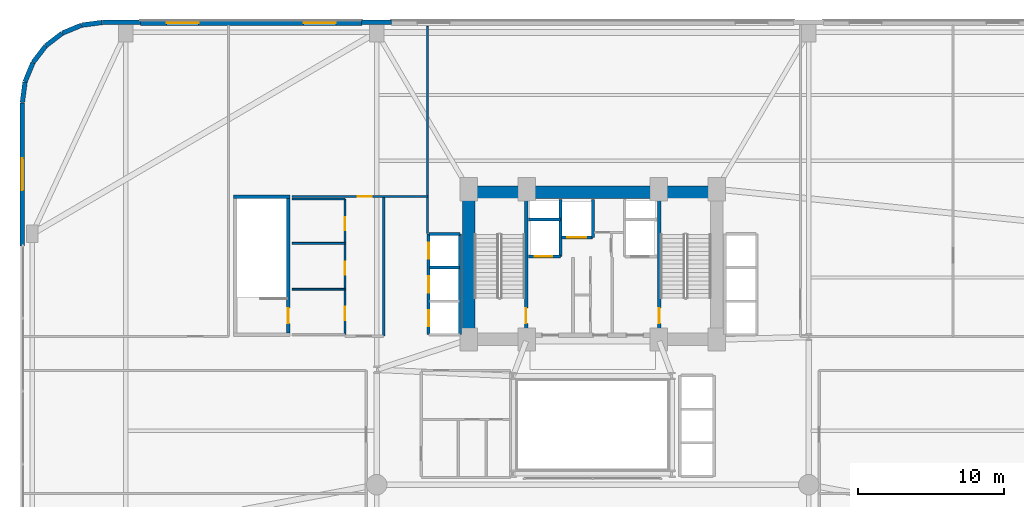
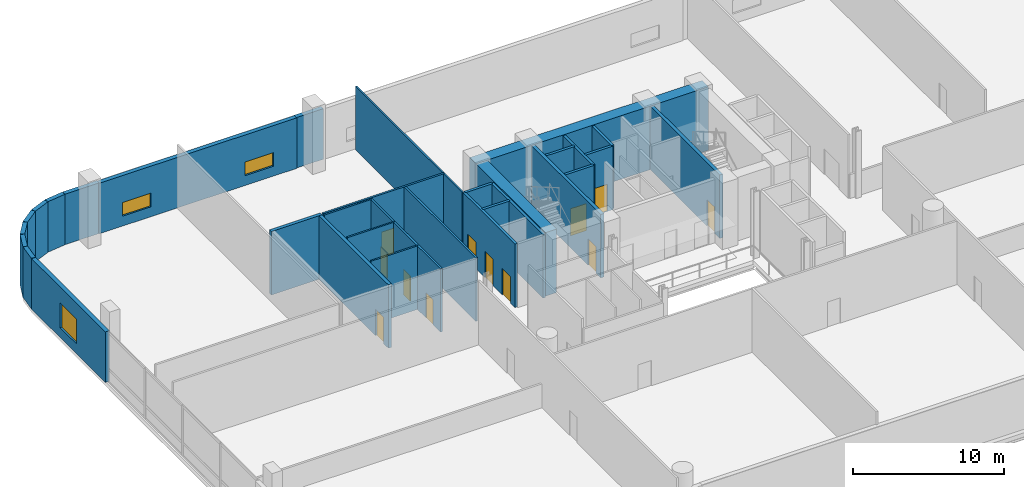
# One storey, part 24 of 31: 32 walls, 12 doors, 3 windows, 15 openings.
"""IFC4 building model written with IfcOpenShell, lengths in metres."""

from ifc_helpers import new_model, si_unit, direction, frame, frame_2d, origin, place, context, subcontext, project, spatial, rectangle, extrude, material, layer, layer_set, type_object, element, fill, save


model = new_model("IFC4")

# Units and contexts
model_context = context("Model", 3, precision=1e-05, world=origin(), true_north=direction((0.0, 1.0)))
body_context = subcontext(model_context, "Body", "Model", "MODEL_VIEW")
ifc_project = project(units=[si_unit("LENGTHUNIT", "METRE"), si_unit("AREAUNIT", "SQUARE_METRE"), si_unit("VOLUMEUNIT", "CUBIC_METRE"), si_unit("PLANEANGLEUNIT", "RADIAN"), si_unit("MASSUNIT", "GRAM", prefix="KILO")], contexts=[model_context])

# Site, building, storey
site_placement = place(None, origin())
site = spatial("IfcSite", under=ifc_project, at=site_placement, CompositionType="ELEMENT")
building_placement = place(site_placement, origin())
building = spatial("IfcBuilding", under=site, at=building_placement, Name="Varnelok Gate Tower", CompositionType="ELEMENT")
storey_placement = place(building_placement, frame((0.0, 0.0, 21.60009765625)))
storey = spatial("IfcBuildingStorey", under=building, at=storey_placement, Name="L04", CompositionType="ELEMENT", Elevation=21.60009765625)

# Wall, openings, windows
ifc_material_1 = material(Name="Concrete C45/55", Category="concrete")
ifc_layer_1 = layer(ifc_material_1, 0.320068359375)
ifc_layer_set_1 = layer_set([ifc_layer_1], Name="Concrete C45/55")
wall_type_1 = type_object("IfcWallType", Name="EW-POD-320", PredefinedType="SOLIDWALL", material=ifc_layer_set_1)
wall_1_placement = place(storey_placement, frame((8.199951171875, 50.43994140625, 0.0), z_axis=(0.0, 0.0, 1.0), x_axis=(1.0, 0.0, 0.0)))
wall_1 = element("IfcWall", 1, at=wall_1_placement, inside=storey, type_object=wall_type_1, Name="L04 North Podium Wall 1", PredefinedType="SOLIDWALL", context=body_context, shape_type="SweptSolid", body=[
    extrude(rectangle(XDim=15.199951171875, YDim=0.320068359375, at=frame_2d((7.60009765625, 0.0))), origin(), (0.0, 0.0, 1.0), 4.099853515625),
])
opening_1_placement = place(wall_1_placement, frame((1.800048828125, 0.0, 0.800048828125)))
opening_1 = element("IfcOpeningElement", 2, at=opening_1_placement, cuts=wall_1, Name="Opening WN2B", PredefinedType="OPENING", context=body_context, shape_type="SweptSolid", body=[
    extrude(rectangle(XDim=2.199951171875, YDim=1.110107421875, at=frame_2d((1.10009765625, 0.55517578125))), frame((0.0, 0.169921875, 0.0), z_axis=(0.0, -1.0, 0.0), x_axis=(1.0, 0.0, 0.0)), (0.0, 0.0, 1.0), 0.340087890625),
])
opening_2_placement = place(wall_1_placement, frame((11.199951171875, 0.0, 0.800048828125)))
opening_2 = element("IfcOpeningElement", 3, at=opening_2_placement, cuts=wall_1, Name="Opening WN2B", PredefinedType="OPENING", context=body_context, shape_type="SweptSolid", body=[
    extrude(rectangle(XDim=2.199951171875, YDim=1.110107421875, at=frame_2d((1.10009765625, 0.55517578125))), frame((0.0, 0.169921875, 0.0), z_axis=(0.0, -1.0, 0.0), x_axis=(1.0, 0.0, 0.0)), (0.0, 0.0, 1.0), 0.340087890625),
])
ifc_material_2 = material(Name="Low-E Laminated Double Glazing IGU", Category="glass")
window_type_1 = type_object("IfcWindowType", Name="WN-POD-2200X1110", PartitioningType="SINGLE_PANEL", PredefinedType="WINDOW", material=ifc_material_2)
window_1_placement = place(opening_1_placement, origin())
window_1 = element("IfcWindow", 4, at=window_1_placement, inside=storey, type_object=window_type_1, Name="L04 Podium Window N1.1", OverallHeight=1.110107421875, OverallWidth=2.199951171875, PartitioningType="SINGLE_PANEL", PredefinedType="WINDOW", context=body_context, shape_type="SweptSolid", body=[
    extrude(rectangle(XDim=2.199951171875, YDim=1.110107421875, at=frame_2d((1.10009765625, 0.55517578125))), frame((0.0, 0.030029296875, 0.0), z_axis=(0.0, -1.0, 0.0), x_axis=(1.0, 0.0, 0.0)), (0.0, 0.0, 1.0), 0.06005859375),
])
fill(opening_1, window_1)
window_2_placement = place(opening_2_placement, origin())
window_2 = element("IfcWindow", 5, at=window_2_placement, inside=storey, type_object=window_type_1, Name="L04 Podium Window N1.2", OverallHeight=1.110107421875, OverallWidth=2.199951171875, PartitioningType="SINGLE_PANEL", PredefinedType="WINDOW", context=body_context, shape_type="SweptSolid", body=[
    extrude(rectangle(XDim=2.199951171875, YDim=1.110107421875, at=frame_2d((1.10009765625, 0.55517578125))), frame((0.0, 0.030029296875, 0.0), z_axis=(0.0, -1.0, 0.0), x_axis=(1.0, 0.0, 0.0)), (0.0, 0.0, 1.0), 0.06005859375),
])
fill(opening_2, window_2)

# Walls
wall_2_placement = place(storey_placement, frame((25.429931640625, 50.47998046875, 0.0), z_axis=(0.0, 0.0, 1.0), x_axis=(-1.0, 0.0, 0.0)))
element("IfcWall", 6, at=wall_2_placement, inside=storey, type_object=wall_type_1, Name="L04 Perimeter Facade Closure Wall 27", PredefinedType="SOLIDWALL", context=body_context, shape_type="SweptSolid", body=[
    extrude(rectangle(XDim=2.059814453125, YDim=0.320068359375, at=frame_2d((1.02978515625, 0.0))), origin(), (0.0, 0.0, 1.0), 4.099853515625),
])
wall_3_placement = place(storey_placement, frame((8.22998046875, 50.47998046875, 0.0), z_axis=(0.0, 0.0, 1.0), x_axis=(-1.0, 0.0, 0.0)))
element("IfcWall", 7, at=wall_3_placement, inside=storey, type_object=wall_type_1, Name="L04 Perimeter Facade Closure Wall 28", PredefinedType="SOLIDWALL", context=body_context, shape_type="SweptSolid", body=[
    extrude(rectangle(XDim=2.6220703125, YDim=0.320068359375, at=frame_2d((1.31103515625, 0.0))), origin(), (0.0, 0.0, 1.0), 4.099853515625),
])
wall_4_placement = place(storey_placement, frame((5.5830078125, 50.476806640625, 0.0), z_axis=(0.0, 0.0, 1.0), x_axis=(-0.991434880626, -0.130601981138, 0.0)))
element("IfcWall", 8, at=wall_4_placement, inside=storey, type_object=wall_type_1, Name="L04 Perimeter Facade Closure Wall 29", PredefinedType="SOLIDWALL", context=body_context, shape_type="SweptSolid", body=[
    extrude(rectangle(XDim=1.413330078125, YDim=0.320068359375, at=frame_2d((0.70654296875, 0.0))), origin(), (0.0, 0.0, 1.0), 4.099853515625),
])
wall_5_placement = place(storey_placement, frame((4.15869140625, 50.28271484375, 0.0), z_axis=(0.0, 0.0, 1.0), x_axis=(-0.923841042178, -0.382776343035, 0.0)))
element("IfcWall", 9, at=wall_5_placement, inside=storey, type_object=wall_type_1, Name="L04 Perimeter Facade Closure Wall 30", PredefinedType="SOLIDWALL", context=body_context, shape_type="SweptSolid", body=[
    extrude(rectangle(XDim=1.405029296875, YDim=0.320068359375, at=frame_2d((0.70263671875, 0.0))), origin(), (0.0, 0.0, 1.0), 4.099853515625),
])
wall_6_placement = place(storey_placement, frame((2.8408203125, 49.729736328125, 0.0), z_axis=(0.0, 0.0, 1.0), x_axis=(-0.79338541907, -0.60871962085, 0.0)))
element("IfcWall", 10, at=wall_6_placement, inside=storey, type_object=wall_type_1, Name="L04 Perimeter Facade Closure Wall 31", PredefinedType="SOLIDWALL", context=body_context, shape_type="SweptSolid", body=[
    extrude(rectangle(XDim=1.4052734375, YDim=0.320068359375, at=frame_2d((0.70263671875, 0.0))), origin(), (0.0, 0.0, 1.0), 4.099853515625),
])
wall_7_placement = place(storey_placement, frame((1.710693359375, 48.8544921875, 0.0), z_axis=(0.0, 0.0, 1.0), x_axis=(-0.608828954222, -0.793301521807, 0.0)))
element("IfcWall", 11, at=wall_7_placement, inside=storey, type_object=wall_type_1, Name="L04 Perimeter Facade Closure Wall 32", PredefinedType="SOLIDWALL", context=body_context, shape_type="SweptSolid", body=[
    extrude(rectangle(XDim=1.405517578125, YDim=0.320068359375, at=frame_2d((0.70263671875, 0.0))), origin(), (0.0, 0.0, 1.0), 4.099853515625),
])
wall_8_placement = place(storey_placement, frame((0.845703125, 47.71630859375, 0.0), z_axis=(0.0, 0.0, 1.0), x_axis=(-0.382924622758, -0.923779591291, 0.0)))
element("IfcWall", 12, at=wall_8_placement, inside=storey, type_object=wall_type_1, Name="L04 Perimeter Facade Closure Wall 33", PredefinedType="SOLIDWALL", context=body_context, shape_type="SweptSolid", body=[
    extrude(rectangle(XDim=1.4052734375, YDim=0.320068359375, at=frame_2d((0.70263671875, 0.0))), origin(), (0.0, 0.0, 1.0), 4.099853515625),
])
wall_9_placement = place(storey_placement, frame((0.304443359375, 46.393310546875, 0.0), z_axis=(0.0, 0.0, 1.0), x_axis=(-0.130432168094, -0.991457235349, 0.0)))
element("IfcWall", 13, at=wall_9_placement, inside=storey, type_object=wall_type_1, Name="L04 Perimeter Facade Closure Wall 34", PredefinedType="SOLIDWALL", context=body_context, shape_type="SweptSolid", body=[
    extrude(rectangle(XDim=1.4130859375, YDim=0.320068359375, at=frame_2d((0.70654296875, 0.0))), origin(), (0.0, 0.0, 1.0), 4.099853515625),
])

# Wall, opening, window
wall_10_placement = place(storey_placement, frame((0.1201171875, 44.967041015625, 0.0), z_axis=(0.0, 0.0, 1.0), x_axis=(0.0, -1.0, 0.0)))
wall_10 = element("IfcWall", 14, at=wall_10_placement, inside=storey, type_object=wall_type_1, Name="L04 Perimeter Facade Closure Wall 35", PredefinedType="SOLIDWALL", context=body_context, shape_type="SweptSolid", body=[
    extrude(rectangle(XDim=9.797119140625, YDim=0.320068359375, at=frame_2d((4.8984375, 0.0))), origin(), (0.0, 0.0, 1.0), 4.099853515625),
])
opening_3_placement = place(wall_10_placement, frame((3.798583984375, 0.0, 0.800048828125)))
opening_3 = element("IfcOpeningElement", 15, at=opening_3_placement, cuts=wall_10, Name="Opening WN2A", PredefinedType="OPENING", context=body_context, shape_type="SweptSolid", body=[
    extrude(rectangle(XDim=2.199951171875, YDim=2.0, at=frame_2d((1.10009765625, 1.0))), frame((0.0, 0.169921875, 0.0), z_axis=(0.0, -1.0, 0.0), x_axis=(1.0, 0.0, 0.0)), (0.0, 0.0, 1.0), 0.340087890625),
])
window_type_2 = type_object("IfcWindowType", Name="WN-POD-2200X2000", PartitioningType="SINGLE_PANEL", PredefinedType="WINDOW", material=ifc_material_2)
window_3_placement = place(opening_3_placement, origin())
window_3 = element("IfcWindow", 16, at=window_3_placement, inside=storey, type_object=window_type_2, Name="L04 Perimeter Vision Window 35", OverallHeight=2.0, OverallWidth=2.199951171875, PartitioningType="SINGLE_PANEL", PredefinedType="WINDOW", context=body_context, shape_type="SweptSolid", body=[
    extrude(rectangle(XDim=2.199951171875, YDim=2.0, at=frame_2d((1.10009765625, 1.0))), frame((0.0, 0.030029296875, 0.0), z_axis=(0.0, -1.0, 0.0), x_axis=(1.0, 0.0, 0.0)), (0.0, 0.0, 1.0), 0.06005859375),
])
fill(opening_3, window_3)

# Walls
ifc_material_3 = material(Name="Gypsum Plasterboard Acoustic Partition", Category="gypsum")
ifc_layer_2 = layer(ifc_material_3, 0.125)
ifc_layer_set_2 = layer_set([ifc_layer_2], Name="Gypsum Plasterboard Acoustic Partition")
wall_type_2 = type_object("IfcWallType", Name="PW-PART-125", PredefinedType="PARTITIONING", material=ifc_layer_set_2)
for number, where, z_axis, x_axis, name in (
    (17, (18.60009765625, 32.18994140625, 0.0), (0.0, 0.0, 1.0), (1.0, 0.0, 0.0), "Interior Partition"),
    (18, (18.60009765625, 35.340087890625, 0.0), (0.0, 0.0, 1.0), (1.0, 0.0, 0.0), "Interior Partition"),
    (19, (18.60009765625, 38.3798828125, 0.0), (0.0, 0.0, 1.0), (1.0, 0.0, 0.0), "Interior Partition"),
):
    element("IfcWall", number, at=place(storey_placement, frame(where, z_axis=z_axis, x_axis=x_axis)), inside=storey, type_object=wall_type_2, Name=name, PredefinedType="PARTITIONING", context=body_context, shape_type="SweptSolid", body=[
        extrude(rectangle(XDim=3.619873046875, YDim=0.125, at=frame_2d((1.81005859375, 0.0))), origin(), (0.0, 0.0, 1.0), 5.14990234375),
    ])
wall_11_placement = place(storey_placement, frame((27.8798828125, 36.02001953125, 0.0), z_axis=(0.0, 0.0, 1.0), x_axis=(0.0, 1.0, 0.0)))
element("IfcWall", 20, at=wall_11_placement, inside=storey, type_object=wall_type_2, Name="Interior Partition", PredefinedType="PARTITIONING", context=body_context, shape_type="SweptSolid", body=[
    extrude(rectangle(XDim=14.179931640625, YDim=0.125, at=frame_2d((7.08984375, 0.0))), origin(), (0.0, 0.0, 1.0), 5.14990234375),
])
ifc_layer_3 = layer(ifc_material_3, 0.14990234375)
ifc_layer_set_3 = layer_set([ifc_layer_3], Name="Gypsum Plasterboard Acoustic Partition")
wall_type_3 = type_object("IfcWallType", Name="PW-PART-150", PredefinedType="PARTITIONING", material=ifc_layer_set_3)
wall_12_placement = place(storey_placement, frame((24.8798828125, 28.97998046875, 0.0), z_axis=(0.0, 0.0, 1.0), x_axis=(0.0, 1.0, 0.0)))
element("IfcWall", 21, at=wall_12_placement, inside=storey, type_object=wall_type_3, Name="Interior Partition", PredefinedType="PARTITIONING", context=body_context, shape_type="SweptSolid", body=[
    extrude(rectangle(XDim=9.580078125, YDim=0.14990234375, at=frame_2d((4.7900390625, 0.0))), origin(), (0.0, 0.0, 1.0), 5.14990234375),
])

# Wall, openings, doors
wall_13_placement = place(storey_placement, frame((22.219970703125, 29.080078125, 0.0), z_axis=(0.0, 0.0, 1.0), x_axis=(0.0, 1.0, 0.0)))
wall_13 = element("IfcWall", 22, at=wall_13_placement, inside=storey, type_object=wall_type_3, Name="Interior Partition", PredefinedType="PARTITIONING", context=body_context, shape_type="SweptSolid", body=[
    extrude(rectangle(XDim=9.2998046875, YDim=0.14990234375, at=frame_2d((4.64990234375, 0.0))), origin(), (0.0, 0.0, 1.0), 5.14990234375),
])
opening_4_placement = place(wall_13_placement, frame((1.0, 0.0, 0.0)))
opening_4 = element("IfcOpeningElement", 23, at=opening_4_placement, cuts=wall_13, Name="Opening D-WC", PredefinedType="OPENING", context=body_context, shape_type="SweptSolid", body=[
    extrude(rectangle(XDim=0.89990234375, YDim=2.050048828125, at=frame_2d((0.449951171875, 1.02490234375))), frame((0.0, 0.0849609375, 0.0), z_axis=(0.0, -1.0, 0.0), x_axis=(1.0, 0.0, 0.0)), (0.0, 0.0, 1.0), 0.169921875),
])
opening_5_placement = place(wall_13_placement, frame((4.10009765625, 0.0, 0.0)))
opening_5 = element("IfcOpeningElement", 24, at=opening_5_placement, cuts=wall_13, Name="Opening D-WC", PredefinedType="OPENING", context=body_context, shape_type="SweptSolid", body=[
    extrude(rectangle(XDim=0.89990234375, YDim=2.050048828125, at=frame_2d((0.449951171875, 1.02490234375))), frame((0.0, 0.0849609375, 0.0), z_axis=(0.0, -1.0, 0.0), x_axis=(1.0, 0.0, 0.0)), (0.0, 0.0, 1.0), 0.169921875),
])
opening_6_placement = place(wall_13_placement, frame((7.14990234375, 0.0, 0.0)))
opening_6 = element("IfcOpeningElement", 25, at=opening_6_placement, cuts=wall_13, Name="Opening D-WC", PredefinedType="OPENING", context=body_context, shape_type="SweptSolid", body=[
    extrude(rectangle(XDim=0.89990234375, YDim=2.050048828125, at=frame_2d((0.449951171875, 1.02490234375))), frame((0.0, 0.0849609375, 0.0), z_axis=(0.0, -1.0, 0.0), x_axis=(1.0, 0.0, 0.0)), (0.0, 0.0, 1.0), 0.169921875),
])
ifc_material_4 = material(Name="Engineered Hardwood Timber", Category="wood")
door_type_1 = type_object("IfcDoorType", Name="DR-BATH-900", OperationType="NOTDEFINED", PredefinedType="DOOR", material=ifc_material_4)
door_1_placement = place(opening_4_placement, origin())
door_1 = element("IfcDoor", 26, at=door_1_placement, inside=storey, type_object=door_type_1, Name="L04 Male WC Door", OperationType="SINGLE_SWING_LEFT", OverallHeight=2.050048828125, OverallWidth=0.89990234375, PredefinedType="DOOR", context=body_context, shape_type="SweptSolid", body=[
    extrude(rectangle(XDim=0.89990234375, YDim=2.050048828125, at=frame_2d((0.449951171875, 1.02490234375))), frame((0.0, 0.02490234375, 0.0), z_axis=(0.0, -1.0, 0.0), x_axis=(1.0, 0.0, 0.0)), (0.0, 0.0, 1.0), 0.050048828125),
])
fill(opening_4, door_1)
door_2_placement = place(opening_5_placement, origin())
door_2 = element("IfcDoor", 27, at=door_2_placement, inside=storey, type_object=door_type_1, Name="L04 Female WC Door", OperationType="SINGLE_SWING_RIGHT", OverallHeight=2.050048828125, OverallWidth=0.89990234375, PredefinedType="DOOR", context=body_context, shape_type="SweptSolid", body=[
    extrude(rectangle(XDim=0.89990234375, YDim=2.050048828125, at=frame_2d((0.449951171875, 1.02490234375))), frame((0.0, 0.02490234375, 0.0), z_axis=(0.0, -1.0, 0.0), x_axis=(1.0, 0.0, 0.0)), (0.0, 0.0, 1.0), 0.050048828125),
])
fill(opening_5, door_2)
door_3_placement = place(opening_6_placement, origin())
door_3 = element("IfcDoor", 28, at=door_3_placement, inside=storey, type_object=door_type_1, Name="L04 Accessible WC Door", OperationType="SINGLE_SWING_LEFT", OverallHeight=2.050048828125, OverallWidth=0.89990234375, PredefinedType="DOOR", context=body_context, shape_type="SweptSolid", body=[
    extrude(rectangle(XDim=0.89990234375, YDim=2.050048828125, at=frame_2d((0.449951171875, 1.02490234375))), frame((0.0, 0.02490234375, 0.0), z_axis=(0.0, -1.0, 0.0), x_axis=(1.0, 0.0, 0.0)), (0.0, 0.0, 1.0), 0.050048828125),
])
fill(opening_6, door_3)

# Wall, opening, door
wall_14_placement = place(storey_placement, frame((18.60009765625, 38.56005859375, 0.0), z_axis=(0.0, 0.0, 1.0), x_axis=(1.0, 0.0, 0.0)))
wall_14 = element("IfcWall", 29, at=wall_14_placement, inside=storey, type_object=wall_type_3, Name="Interior Partition", PredefinedType="PARTITIONING", context=body_context, shape_type="SweptSolid", body=[
    extrude(rectangle(XDim=9.27978515625, YDim=0.14990234375, at=frame_2d((4.639892578125, 0.0))), origin(), (0.0, 0.0, 1.0), 5.14990234375),
])
opening_7_placement = place(wall_14_placement, frame((4.5, 0.0, 0.0)))
opening_7 = element("IfcOpeningElement", 30, at=opening_7_placement, cuts=wall_14, Name="Opening D-I2", PredefinedType="OPENING", context=body_context, shape_type="SweptSolid", body=[
    extrude(rectangle(XDim=0.949951171875, YDim=2.050048828125, at=frame_2d((0.47509765625, 1.02490234375))), frame((0.0, 0.0849609375, 0.0), z_axis=(0.0, -1.0, 0.0), x_axis=(1.0, 0.0, 0.0)), (0.0, 0.0, 1.0), 0.169921875),
])
door_type_2 = type_object("IfcDoorType", Name="DR-INT-950", OperationType="NOTDEFINED", PredefinedType="DOOR", material=ifc_material_4)
door_4_placement = place(opening_7_placement, origin())
door_4 = element("IfcDoor", 31, at=door_4_placement, inside=storey, type_object=door_type_2, Name="L04 North Briefing Door", OperationType="SINGLE_SWING_LEFT", OverallHeight=2.050048828125, OverallWidth=0.949951171875, PredefinedType="DOOR", context=body_context, shape_type="SweptSolid", body=[
    extrude(rectangle(XDim=0.949951171875, YDim=2.050048828125, at=frame_2d((0.47509765625, 1.02490234375))), frame((0.0, 0.02490234375, 0.0), z_axis=(0.0, -1.0, 0.0), x_axis=(1.0, 0.0, 0.0)), (0.0, 0.0, 1.0), 0.050048828125),
])
fill(opening_7, door_4)

ifc_material_5 = material(Name="Concrete C35/45", Category="concrete")
ifc_layer_4 = layer(ifc_material_5, 0.199951171875)
ifc_layer_set_4 = layer_set([ifc_layer_4], Name="Concrete C35/45")
wall_type_4 = type_object("IfcWallType", Name="PW-SHAFT-200", PredefinedType="PARTITIONING", material=ifc_layer_set_4)
wall_15_placement = place(storey_placement, frame((34.800048828125, 34.43994140625, 0.0), z_axis=(0.0, 0.0, 1.0), x_axis=(1.0, 0.0, 0.0)))
wall_15 = element("IfcWall", 32, at=wall_15_placement, inside=storey, type_object=wall_type_4, Name="L04 FF1 Shaft Front Wall", PredefinedType="PARTITIONING", context=body_context, shape_type="SweptSolid", body=[
    extrude(rectangle(XDim=2.179931640625, YDim=0.199951171875, at=frame_2d((1.08984375, 0.0))), origin(), (0.0, 0.0, 1.0), 5.14990234375),
])
opening_8_placement = place(wall_15_placement, frame((0.419921875, 0.0, 0.0)))
opening_8 = element("IfcOpeningElement", 33, at=opening_8_placement, cuts=wall_15, Name="Opening LD-FF1", PredefinedType="OPENING", context=body_context, shape_type="SweptSolid", body=[
    extrude(rectangle(XDim=1.199951171875, YDim=2.199951171875, at=frame_2d((0.60009765625, 1.10009765625))), frame((0.0, 0.10986328125, 0.0), z_axis=(0.0, -1.0, 0.0), x_axis=(1.0, 0.0, 0.0)), (0.0, 0.0, 1.0), 0.219970703125),
])
ifc_material_6 = material(Name="Galvanized Steel Grade S350GD", Category="steel")
door_type_3 = type_object("IfcDoorType", Name="DR-LIFT-FF1200", OperationType="SLIDING_TO_LEFT", PredefinedType="DOOR", material=ifc_material_6)
door_5_placement = place(opening_8_placement, origin())
door_5 = element("IfcDoor", 34, at=door_5_placement, inside=storey, type_object=door_type_3, Name="L04 Firefighting Lift Landing Door LD-FF1", OperationType="SLIDING_TO_LEFT", OverallHeight=2.199951171875, OverallWidth=1.199951171875, PredefinedType="DOOR", context=body_context, shape_type="SweptSolid", body=[
    extrude(rectangle(XDim=1.199951171875, YDim=2.199951171875, at=frame_2d((0.60009765625, 1.10009765625))), frame((0.0, 0.02490234375, 0.0), z_axis=(0.0, -1.0, 0.0), x_axis=(1.0, 0.0, 0.0)), (0.0, 0.0, 1.0), 0.050048828125),
])
fill(opening_8, door_5)

# Walls
wall_16_placement = place(storey_placement, frame((34.800048828125, 36.97998046875, 0.0), z_axis=(0.0, 0.0, 1.0), x_axis=(1.0, 0.0, 0.0)))
element("IfcWall", 35, at=wall_16_placement, inside=storey, type_object=wall_type_4, Name="L04 FF1 Shaft North Wall", PredefinedType="PARTITIONING", context=body_context, shape_type="SweptSolid", body=[
    extrude(rectangle(XDim=2.179931640625, YDim=0.199951171875, at=frame_2d((1.08984375, 0.0))), origin(), (0.0, 0.0, 1.0), 5.14990234375),
])
wall_17_placement = place(storey_placement, frame((37.0, 34.43994140625, 0.0), z_axis=(0.0, 0.0, 1.0), x_axis=(0.0, 1.0, 0.0)))
element("IfcWall", 36, at=wall_17_placement, inside=storey, type_object=wall_type_4, Name="L04 FF1 Shaft Side Wall", PredefinedType="PARTITIONING", context=body_context, shape_type="SweptSolid", body=[
    extrude(rectangle(XDim=3.900146484375, YDim=0.199951171875, at=frame_2d((1.9501953125, 0.0))), origin(), (0.0, 0.0, 1.0), 5.14990234375),
])

# Wall, opening, door
wall_18_placement = place(storey_placement, frame((37.06005859375, 35.75, 0.0), z_axis=(0.0, 0.0, 1.0), x_axis=(1.0, 0.0, 0.0)))
wall_18 = element("IfcWall", 37, at=wall_18_placement, inside=storey, type_object=wall_type_4, Name="L04 SV1 Shaft Front Wall", PredefinedType="PARTITIONING", context=body_context, shape_type="SweptSolid", body=[
    extrude(rectangle(XDim=2.119873046875, YDim=0.199951171875, at=frame_2d((1.06005859375, 0.0))), origin(), (0.0, 0.0, 1.0), 5.14990234375),
])
opening_9_placement = place(wall_18_placement, frame((0.39990234375, 0.0, 0.0)))
opening_9 = element("IfcOpeningElement", 38, at=opening_9_placement, cuts=wall_18, Name="Opening LD-SV1", PredefinedType="OPENING", context=body_context, shape_type="SweptSolid", body=[
    extrude(rectangle(XDim=1.300048828125, YDim=2.199951171875, at=frame_2d((0.64990234375, 1.10009765625))), frame((0.0, 0.10986328125, 0.0), z_axis=(0.0, -1.0, 0.0), x_axis=(1.0, 0.0, 0.0)), (0.0, 0.0, 1.0), 0.219970703125),
])
door_type_4 = type_object("IfcDoorType", Name="DR-LIFT-SV1300", OperationType="SLIDING_TO_LEFT", PredefinedType="DOOR", material=ifc_material_6)
door_6_placement = place(opening_9_placement, origin())
door_6 = element("IfcDoor", 39, at=door_6_placement, inside=storey, type_object=door_type_4, Name="L04 Service Lift Landing Door LD-SV1", OperationType="SLIDING_TO_LEFT", OverallHeight=2.199951171875, OverallWidth=1.300048828125, PredefinedType="DOOR", context=body_context, shape_type="SweptSolid", body=[
    extrude(rectangle(XDim=1.300048828125, YDim=2.199951171875, at=frame_2d((0.64990234375, 1.10009765625))), frame((0.0, 0.02490234375, 0.0), z_axis=(0.0, -1.0, 0.0), x_axis=(1.0, 0.0, 0.0)), (0.0, 0.0, 1.0), 0.050048828125),
])
fill(opening_9, door_6)

# Walls
wall_19_placement = place(storey_placement, frame((39.219970703125, 35.75, 0.0), z_axis=(0.0, 0.0, 1.0), x_axis=(0.0, 1.0, 0.0)))
element("IfcWall", 40, at=wall_19_placement, inside=storey, type_object=wall_type_4, Name="L04 SV1 Shaft East Wall", PredefinedType="PARTITIONING", context=body_context, shape_type="SweptSolid", body=[
    extrude(rectangle(XDim=2.590087890625, YDim=0.199951171875, at=frame_2d((1.294921875, 0.0))), origin(), (0.0, 0.0, 1.0), 5.14990234375),
])
wall_20_placement = place(storey_placement, frame((28.02001953125, 33.675048828125, 0.0), z_axis=(0.0, 0.0, 1.0), x_axis=(1.0, 0.0, 0.0)))
element("IfcWall", 41, at=wall_20_placement, inside=storey, type_object=wall_type_4, Name="L04 PL2 Divider", PredefinedType="PARTITIONING", context=body_context, shape_type="SweptSolid", body=[
    extrude(rectangle(XDim=2.06005859375, YDim=0.199951171875, at=frame_2d((1.030029296875, 0.0))), origin(), (0.0, 0.0, 1.0), 5.14990234375),
])
wall_21_placement = place(storey_placement, frame((28.0, 35.969970703125, 0.0), z_axis=(0.0, 0.0, 1.0), x_axis=(1.0, 0.0, 0.0)))
element("IfcWall", 42, at=wall_21_placement, inside=storey, type_object=wall_type_4, Name="L04 PL Bank North Wall", PredefinedType="PARTITIONING", context=body_context, shape_type="SweptSolid", body=[
    extrude(rectangle(XDim=2.10009765625, YDim=0.199951171875, at=frame_2d((1.050048828125, 0.0))), origin(), (0.0, 0.0, 1.0), 5.14990234375),
])
wall_22_placement = place(storey_placement, frame((30.1201171875, 29.080078125, 0.0), z_axis=(0.0, 0.0, 1.0), x_axis=(0.0, 1.0, 0.0)))
element("IfcWall", 43, at=wall_22_placement, inside=storey, type_object=wall_type_4, Name="L04 PL Bank Back Wall", PredefinedType="PARTITIONING", context=body_context, shape_type="SweptSolid", body=[
    extrude(rectangle(XDim=6.889892578125, YDim=0.199951171875, at=frame_2d((3.44482421875, 0.0))), origin(), (0.0, 0.0, 1.0), 5.14990234375),
])

# Wall, openings, doors
wall_23_placement = place(storey_placement, frame((27.9599609375, 29.080078125, 0.0), z_axis=(0.0, 0.0, 1.0), x_axis=(0.0, 1.0, 0.0)))
wall_23 = element("IfcWall", 44, at=wall_23_placement, inside=storey, type_object=wall_type_4, Name="L04 PL Bank Front Wall", PredefinedType="PARTITIONING", context=body_context, shape_type="SweptSolid", body=[
    extrude(rectangle(XDim=6.889892578125, YDim=0.199951171875, at=frame_2d((3.44482421875, 0.0))), origin(), (0.0, 0.0, 1.0), 5.14990234375),
])
opening_10_placement = place(wall_23_placement, frame((0.590087890625, 0.0, 0.0)))
opening_10 = element("IfcOpeningElement", 45, at=opening_10_placement, cuts=wall_23, Name="Opening LD-PL1", PredefinedType="OPENING", context=body_context, shape_type="SweptSolid", body=[
    extrude(rectangle(XDim=1.10009765625, YDim=2.14990234375, at=frame_2d((0.550048828125, 1.074951171875))), frame((0.0, 0.10986328125, 0.0), z_axis=(0.0, -1.0, 0.0), x_axis=(1.0, 0.0, 0.0)), (0.0, 0.0, 1.0), 0.219970703125),
])
opening_11_placement = place(wall_23_placement, frame((2.889892578125, 0.0, 0.0)))
opening_11 = element("IfcOpeningElement", 46, at=opening_11_placement, cuts=wall_23, Name="Opening LD-PL2", PredefinedType="OPENING", context=body_context, shape_type="SweptSolid", body=[
    extrude(rectangle(XDim=1.10009765625, YDim=2.14990234375, at=frame_2d((0.550048828125, 1.074951171875))), frame((0.0, 0.10986328125, 0.0), z_axis=(0.0, -1.0, 0.0), x_axis=(1.0, 0.0, 0.0)), (0.0, 0.0, 1.0), 0.219970703125),
])
opening_12_placement = place(wall_23_placement, frame((5.18994140625, 0.0, 0.0)))
opening_12 = element("IfcOpeningElement", 47, at=opening_12_placement, cuts=wall_23, Name="Opening LD-PL3", PredefinedType="OPENING", context=body_context, shape_type="SweptSolid", body=[
    extrude(rectangle(XDim=1.10009765625, YDim=2.14990234375, at=frame_2d((0.550048828125, 1.074951171875))), frame((0.0, 0.10986328125, 0.0), z_axis=(0.0, -1.0, 0.0), x_axis=(1.0, 0.0, 0.0)), (0.0, 0.0, 1.0), 0.219970703125),
])
door_type_5 = type_object("IfcDoorType", Name="DR-LIFT-PAX1100", OperationType="SLIDING_TO_LEFT", PredefinedType="DOOR", material=ifc_material_6)
door_7_placement = place(opening_10_placement, origin())
door_7 = element("IfcDoor", 48, at=door_7_placement, inside=storey, type_object=door_type_5, Name="L04 Passenger Lift Landing Door LD-PL1", OperationType="SLIDING_TO_LEFT", OverallHeight=2.14990234375, OverallWidth=1.10009765625, PredefinedType="DOOR", context=body_context, shape_type="SweptSolid", body=[
    extrude(rectangle(XDim=1.10009765625, YDim=2.14990234375, at=frame_2d((0.550048828125, 1.074951171875))), frame((0.0, 0.02490234375, 0.0), z_axis=(0.0, -1.0, 0.0), x_axis=(1.0, 0.0, 0.0)), (0.0, 0.0, 1.0), 0.050048828125),
])
fill(opening_10, door_7)
door_8_placement = place(opening_11_placement, origin())
door_8 = element("IfcDoor", 49, at=door_8_placement, inside=storey, type_object=door_type_5, Name="L04 Passenger Lift Landing Door LD-PL2", OperationType="SLIDING_TO_LEFT", OverallHeight=2.14990234375, OverallWidth=1.10009765625, PredefinedType="DOOR", context=body_context, shape_type="SweptSolid", body=[
    extrude(rectangle(XDim=1.10009765625, YDim=2.14990234375, at=frame_2d((0.550048828125, 1.074951171875))), frame((0.0, 0.02490234375, 0.0), z_axis=(0.0, -1.0, 0.0), x_axis=(1.0, 0.0, 0.0)), (0.0, 0.0, 1.0), 0.050048828125),
])
fill(opening_11, door_8)
door_9_placement = place(opening_12_placement, origin())
door_9 = element("IfcDoor", 50, at=door_9_placement, inside=storey, type_object=door_type_5, Name="L04 Passenger Lift Landing Door LD-PL3", OperationType="SLIDING_TO_LEFT", OverallHeight=2.14990234375, OverallWidth=1.10009765625, PredefinedType="DOOR", context=body_context, shape_type="SweptSolid", body=[
    extrude(rectangle(XDim=1.10009765625, YDim=2.14990234375, at=frame_2d((0.550048828125, 1.074951171875))), frame((0.0, 0.02490234375, 0.0), z_axis=(0.0, -1.0, 0.0), x_axis=(1.0, 0.0, 0.0)), (0.0, 0.0, 1.0), 0.050048828125),
])
fill(opening_12, door_9)

# Walls
ifc_material_7 = material(Name="Concrete C70/85", Category="concrete")
ifc_layer_5 = layer(ifc_material_7, 0.85009765625)
ifc_layer_set_5 = layer_set([ifc_layer_5], Name="Concrete C70/85")
wall_type_5 = type_object("IfcWallType", Name="SW-CORE-850", PredefinedType="SHEAR", material=ifc_layer_set_5)
wall_24_placement = place(storey_placement, frame((30.280029296875, 38.844970703125, 0.0), z_axis=(0.0, 0.0, 1.0), x_axis=(1.0, 0.0, 0.0)))
element("IfcWall", 51, at=wall_24_placement, inside=storey, type_object=wall_type_5, Name="L04 Rear Core North Shear Wall", PredefinedType="SHEAR", context=body_context, shape_type="SweptSolid", body=[
    extrude(rectangle(XDim=17.840087890625, YDim=0.85009765625, at=frame_2d((8.919921875, 0.0))), origin(), (0.0, 0.0, 1.0), 5.14990234375),
])
wall_25_placement = place(storey_placement, frame((30.705078125, 29.199951171875, 0.0), z_axis=(0.0, 0.0, 1.0), x_axis=(0.0, 1.0, 0.0)))
element("IfcWall", 52, at=wall_25_placement, inside=storey, type_object=wall_type_5, Name="L04 Rear Core West Shear Wall", PredefinedType="SHEAR", context=body_context, shape_type="SweptSolid", body=[
    extrude(rectangle(XDim=9.219970703125, YDim=0.85009765625, at=frame_2d((4.60986328125, 0.0))), origin(), (0.0, 0.0, 1.0), 5.14990234375),
])

# Wall, opening, door
ifc_material_8 = material(Name="Concrete C60/75", Category="concrete")
ifc_layer_6 = layer(ifc_material_8, 0.25)
ifc_layer_set_6 = layer_set([ifc_layer_6], Name="Concrete C60/75")
wall_type_6 = type_object("IfcWallType", Name="SW-SHAFT-250", PredefinedType="SHEAR", material=ifc_layer_set_6)
wall_26_placement = place(storey_placement, frame((34.639892578125, 29.199951171875, 0.0), z_axis=(0.0, 0.0, 1.0), x_axis=(0.0, 1.0, 0.0)))
wall_26 = element("IfcWall", 53, at=wall_26_placement, inside=storey, type_object=wall_type_6, Name="L04 Stair ST-1 East Shear Wall", PredefinedType="SHEAR", context=body_context, shape_type="SweptSolid", body=[
    extrude(rectangle(XDim=9.219970703125, YDim=0.25, at=frame_2d((4.60986328125, 0.0))), origin(), (0.0, 0.0, 1.0), 5.14990234375),
])
opening_13_placement = place(wall_26_placement, frame((0.64990234375, 0.0, 0.0)))
opening_13 = element("IfcOpeningElement", 54, at=opening_13_placement, cuts=wall_26, Name="Opening D-ST", PredefinedType="OPENING", context=body_context, shape_type="SweptSolid", body=[
    extrude(rectangle(XDim=1.050048828125, YDim=2.14990234375, at=frame_2d((0.52490234375, 1.074951171875))), frame((0.0, 0.135009765625, 0.0), z_axis=(0.0, -1.0, 0.0), x_axis=(1.0, 0.0, 0.0)), (0.0, 0.0, 1.0), 0.27001953125),
])
door_type_6 = type_object("IfcDoorType", Name="DR-STAIR-1050", OperationType="NOTDEFINED", PredefinedType="DOOR", material=ifc_material_6)
door_10_placement = place(opening_13_placement, origin())
door_10 = element("IfcDoor", 55, at=door_10_placement, inside=storey, type_object=door_type_6, Name="L04 Exit Stair ST-1 Fire Door", OperationType="SINGLE_SWING_LEFT", OverallHeight=2.14990234375, OverallWidth=1.050048828125, PredefinedType="DOOR", context=body_context, shape_type="SweptSolid", body=[
    extrude(rectangle(XDim=1.050048828125, YDim=2.14990234375, at=frame_2d((0.52490234375, 1.074951171875))), frame((0.0, 0.02490234375, 0.0), z_axis=(0.0, -1.0, 0.0), x_axis=(1.0, 0.0, 0.0)), (0.0, 0.0, 1.0), 0.050048828125),
])
fill(opening_13, door_10)

wall_27_placement = place(storey_placement, frame((43.760009765625, 29.199951171875, 0.0), z_axis=(0.0, 0.0, 1.0), x_axis=(0.0, 1.0, 0.0)))
wall_27 = element("IfcWall", 56, at=wall_27_placement, inside=storey, type_object=wall_type_6, Name="L04 Stair ST-2 West Shear Wall", PredefinedType="SHEAR", context=body_context, shape_type="SweptSolid", body=[
    extrude(rectangle(XDim=9.219970703125, YDim=0.25, at=frame_2d((4.60986328125, 0.0))), origin(), (0.0, 0.0, 1.0), 5.14990234375),
])
opening_14_placement = place(wall_27_placement, frame((0.64990234375, 0.0, 0.0)))
opening_14 = element("IfcOpeningElement", 57, at=opening_14_placement, cuts=wall_27, Name="Opening D-ST", PredefinedType="OPENING", context=body_context, shape_type="SweptSolid", body=[
    extrude(rectangle(XDim=1.050048828125, YDim=2.14990234375, at=frame_2d((0.52490234375, 1.074951171875))), frame((0.0, 0.135009765625, 0.0), z_axis=(0.0, -1.0, 0.0), x_axis=(1.0, 0.0, 0.0)), (0.0, 0.0, 1.0), 0.27001953125),
])
door_11_placement = place(opening_14_placement, origin())
door_11 = element("IfcDoor", 58, at=door_11_placement, inside=storey, type_object=door_type_6, Name="L04 Exit Stair ST-2 Fire Door", OperationType="SINGLE_SWING_RIGHT", OverallHeight=2.14990234375, OverallWidth=1.050048828125, PredefinedType="DOOR", context=body_context, shape_type="SweptSolid", body=[
    extrude(rectangle(XDim=1.050048828125, YDim=2.14990234375, at=frame_2d((0.52490234375, 1.074951171875))), frame((0.0, 0.02490234375, 0.0), z_axis=(0.0, -1.0, 0.0), x_axis=(1.0, 0.0, 0.0)), (0.0, 0.0, 1.0), 0.050048828125),
])
fill(opening_14, door_11)

wall_28_placement = place(storey_placement, frame((18.344970703125, 29.199951171875, 0.0), z_axis=(0.0, 0.0, 1.0), x_axis=(0.0, 1.0, 0.0)))
wall_28 = element("IfcWall", 59, at=wall_28_placement, inside=storey, type_object=wall_type_6, Name="L04 Stair ST-3 East Shear Wall", PredefinedType="SHEAR", context=body_context, shape_type="SweptSolid", body=[
    extrude(rectangle(XDim=9.219970703125, YDim=0.25, at=frame_2d((4.60986328125, 0.0))), origin(), (0.0, 0.0, 1.0), 5.14990234375),
])
opening_15_placement = place(wall_28_placement, frame((0.64990234375, 0.0, 0.0)))
opening_15 = element("IfcOpeningElement", 60, at=opening_15_placement, cuts=wall_28, Name="Opening D-ST", PredefinedType="OPENING", context=body_context, shape_type="SweptSolid", body=[
    extrude(rectangle(XDim=1.050048828125, YDim=2.14990234375, at=frame_2d((0.52490234375, 1.074951171875))), frame((0.0, 0.135009765625, 0.0), z_axis=(0.0, -1.0, 0.0), x_axis=(1.0, 0.0, 0.0)), (0.0, 0.0, 1.0), 0.27001953125),
])
door_12_placement = place(opening_15_placement, origin())
door_12 = element("IfcDoor", 61, at=door_12_placement, inside=storey, type_object=door_type_6, Name="L04 Podium Stair ST-3 Fire Door", OperationType="SINGLE_SWING_LEFT", OverallHeight=2.14990234375, OverallWidth=1.050048828125, PredefinedType="DOOR", context=body_context, shape_type="SweptSolid", body=[
    extrude(rectangle(XDim=1.050048828125, YDim=2.14990234375, at=frame_2d((0.52490234375, 1.074951171875))), frame((0.0, 0.02490234375, 0.0), z_axis=(0.0, -1.0, 0.0), x_axis=(1.0, 0.0, 0.0)), (0.0, 0.0, 1.0), 0.050048828125),
])
fill(opening_15, door_12)

# Wall
wall_29_placement = place(storey_placement, frame((14.580078125, 38.544921875, 0.0), z_axis=(0.0, 0.0, 1.0), x_axis=(1.0, 0.0, 0.0)))
element("IfcWall", 62, at=wall_29_placement, inside=storey, type_object=wall_type_6, Name="L04 Stair ST-3 North Shear Wall", PredefinedType="SHEAR", context=body_context, shape_type="SweptSolid", body=[
    extrude(rectangle(XDim=3.889892578125, YDim=0.25, at=frame_2d((1.94482421875, 0.0))), origin(), (0.0, 0.0, 1.0), 5.14990234375),
])

save(model, "model.ifc")
